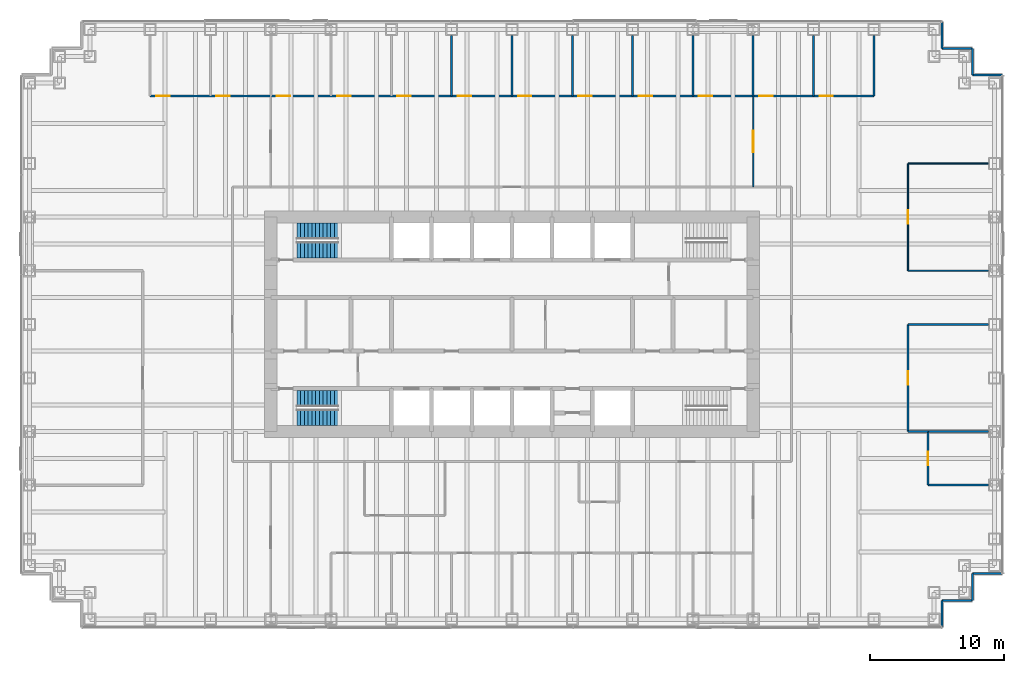
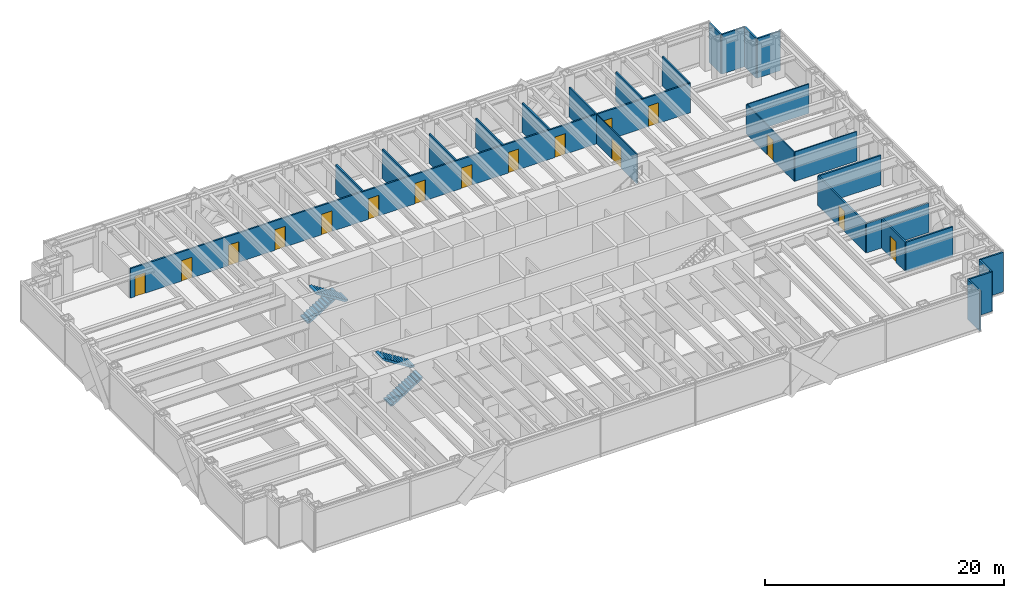
# One storey, part 17 of 19: 27 walls, 16 doors, 4 stair flights, 16 openings, 2 elements without a shape of their own.
"""IFC4 building model written with IfcOpenShell, lengths in metres."""

from ifc_helpers import new_model, si_unit, direction, frame, frame_2d, origin, place, context, subcontext, project, spatial, polyline, rectangle, outline, extrude, material, layer, layer_set, type_object, element, fill, aggregate, save


model = new_model("IFC4")

# Units and contexts
model_context = context("Model", 3, precision=1e-05, world=origin(), true_north=direction((0.0, 1.0)))
body_context = subcontext(model_context, "Body", "Model", "MODEL_VIEW")
ifc_project = project(units=[si_unit("LENGTHUNIT", "METRE"), si_unit("AREAUNIT", "SQUARE_METRE"), si_unit("VOLUMEUNIT", "CUBIC_METRE"), si_unit("PLANEANGLEUNIT", "RADIAN"), si_unit("MASSUNIT", "GRAM", prefix="KILO")], contexts=[model_context])

# Site, building, storey
site_placement = place(None, origin())
site = spatial("IfcSite", under=ifc_project, at=site_placement, CompositionType="ELEMENT")
building_placement = place(site_placement, origin())
building = spatial("IfcBuilding", under=site, at=building_placement, Name="Rheinbord Bourse Tower", CompositionType="ELEMENT")
storey_placement = place(building_placement, frame((0.0, 0.0, 167.699951171875)))
storey = spatial("IfcBuildingStorey", under=building, at=storey_placement, Name="L37", CompositionType="ELEMENT", Elevation=167.699951171875)

# Walls
ifc_material_1 = material(Name="Black metal rainscreen panel", Category="aluminium")
ifc_layer_1 = layer(ifc_material_1, 0.14990234375)
ifc_layer_set_1 = layer_set([ifc_layer_1], Name="CORNER PIER CLADDING 150")
wall_type_1 = type_object("IfcWallType", Name="CORNER PIER CLADDING 150", PredefinedType="ELEMENTEDWALL", material=ifc_layer_set_1)
wall_1_placement = place(storey_placement, frame((68.10009765625, 1.39990234375, 0.0), z_axis=(0.0, 0.0, 1.0), x_axis=(0.0, 1.0, 0.0)))
element("IfcWall", 1, at=wall_1_placement, inside=storey, type_object=wall_type_1, Name="Corner pier cladding L37 2", PredefinedType="ELEMENTEDWALL", context=body_context, shape_type="SweptSolid", body=[
    extrude(rectangle(XDim=2.0, YDim=0.14990234375, at=frame_2d((1.0, 0.0))), origin(), (0.0, 0.0, 1.0), 4.0400390625),
])
wall_2_placement = place(storey_placement, frame((68.10009765625, 3.39990234375, 0.0), z_axis=(0.0, 0.0, 1.0), x_axis=(1.0, 0.0, 0.0)))
element("IfcWall", 2, at=wall_2_placement, inside=storey, type_object=wall_type_1, Name="Corner pier cladding L37 3", PredefinedType="ELEMENTEDWALL", context=body_context, shape_type="SweptSolid", body=[
    extrude(rectangle(XDim=2.25, YDim=0.14990234375, at=frame_2d((1.125, 0.0))), origin(), (0.0, 0.0, 1.0), 4.0400390625),
])
wall_3_placement = place(storey_placement, frame((70.35009765625, 3.39990234375, 0.0), z_axis=(0.0, 0.0, 1.0), x_axis=(0.0, 1.0, 0.0)))
element("IfcWall", 3, at=wall_3_placement, inside=storey, type_object=wall_type_1, Name="Corner pier cladding L37 4", PredefinedType="ELEMENTEDWALL", context=body_context, shape_type="SweptSolid", body=[
    extrude(rectangle(XDim=2.0, YDim=0.14990234375, at=frame_2d((1.0, 0.0))), origin(), (0.0, 0.0, 1.0), 4.0400390625),
])
for number, where, z_axis, x_axis, name in (
    (4, (70.35009765625, 5.39990234375, 0.0), (0.0, 0.0, 1.0), (1.0, 0.0, 0.0), "Corner pier cladding L37 5"),
    (5, (72.60009765625, 42.60009765625, 0.0), (0.0, 0.0, 1.0), (-1.0, 0.0, 0.0), "Corner pier cladding L37 7"),
):
    element("IfcWall", number, at=place(storey_placement, frame(where, z_axis=z_axis, x_axis=x_axis)), inside=storey, type_object=wall_type_1, Name=name, PredefinedType="ELEMENTEDWALL", context=body_context, shape_type="SweptSolid", body=[
        extrude(rectangle(XDim=2.25, YDim=0.14990234375, at=frame_2d((1.125, 0.0))), origin(), (0.0, 0.0, 1.0), 4.0400390625),
    ])
wall_4_placement = place(storey_placement, frame((70.35009765625, 42.60009765625, 0.0), z_axis=(0.0, 0.0, 1.0), x_axis=(0.0, 1.0, 0.0)))
element("IfcWall", 6, at=wall_4_placement, inside=storey, type_object=wall_type_1, Name="Corner pier cladding L37 8", PredefinedType="ELEMENTEDWALL", context=body_context, shape_type="SweptSolid", body=[
    extrude(rectangle(XDim=2.0, YDim=0.14990234375, at=frame_2d((1.0, 0.0))), origin(), (0.0, 0.0, 1.0), 4.0400390625),
])
wall_5_placement = place(storey_placement, frame((70.35009765625, 44.60009765625, 0.0), z_axis=(0.0, 0.0, 1.0), x_axis=(-1.0, 0.0, 0.0)))
element("IfcWall", 7, at=wall_5_placement, inside=storey, type_object=wall_type_1, Name="Corner pier cladding L37 9", PredefinedType="ELEMENTEDWALL", context=body_context, shape_type="SweptSolid", body=[
    extrude(rectangle(XDim=2.25, YDim=0.14990234375, at=frame_2d((1.125, 0.0))), origin(), (0.0, 0.0, 1.0), 4.0400390625),
])
wall_6_placement = place(storey_placement, frame((68.10009765625, 44.60009765625, 0.0), z_axis=(0.0, 0.0, 1.0), x_axis=(0.0, 1.0, 0.0)))
element("IfcWall", 8, at=wall_6_placement, inside=storey, type_object=wall_type_1, Name="Corner pier cladding L37 10", PredefinedType="ELEMENTEDWALL", context=body_context, shape_type="SweptSolid", body=[
    extrude(rectangle(XDim=2.0, YDim=0.14990234375, at=frame_2d((1.0, 0.0))), origin(), (0.0, 0.0, 1.0), 4.0400390625),
])
ifc_material_2 = material(Name="Gypsum board fire partition", Category="gypsum board")
ifc_layer_2 = layer(ifc_material_2, 0.14990234375)
ifc_layer_set_2 = layer_set([ifc_layer_2], Name="FIRE PARTITION 150 EI60")
wall_type_2 = type_object("IfcWallType", Name="FIRE PARTITION 150 EI60", PredefinedType="PARTITIONING", material=ifc_layer_set_2)
for number, where, z_axis, x_axis, name in (
    (9, (67.050048828125, 12.0, 0.0), (0.0, 0.0, 1.0), (1.0, 0.0, 0.0), "Partition L37-05"),
    (10, (67.050048828125, 16.0, 0.0), (0.0, 0.0, 1.0), (1.0, 0.0, 0.0), "Partition L37-08"),
):
    element("IfcWall", number, at=place(storey_placement, frame(where, z_axis=z_axis, x_axis=x_axis)), inside=storey, type_object=wall_type_2, Name=name, PredefinedType="PARTITIONING", context=body_context, shape_type="SweptSolid", body=[
        extrude(rectangle(XDim=4.5, YDim=0.14990234375, at=frame_2d((2.25, 0.0))), origin(), (0.0, 0.0, 1.0), 3.0),
    ])

# Wall, opening, door
wall_7_placement = place(storey_placement, frame((67.050048828125, 12.0, 0.0), z_axis=(0.0, 0.0, 1.0), x_axis=(0.0, 1.0, 0.0)))
wall_7 = element("IfcWall", 11, at=wall_7_placement, inside=storey, type_object=wall_type_2, Name="Partition L37-49", PredefinedType="PARTITIONING", context=body_context, shape_type="SweptSolid", body=[
    extrude(rectangle(XDim=4.0, YDim=0.14990234375, at=frame_2d((2.0, 0.0))), origin(), (0.0, 0.0, 1.0), 3.0),
])
opening_1_placement = place(wall_7_placement, frame((1.5, 0.0, 0.0)))
opening_1 = element("IfcOpeningElement", 12, at=opening_1_placement, cuts=wall_7, Name="Opening 37D10", PredefinedType="OPENING", context=body_context, shape_type="SweptSolid", body=[
    extrude(rectangle(XDim=1.0, YDim=2.10009765625, at=frame_2d((0.5, 1.050048828125))), frame((0.0, 0.0849609375, 0.0), z_axis=(0.0, -1.0, 0.0), x_axis=(1.0, 0.0, 0.0)), (0.0, 0.0, 1.0), 0.169921875),
])
ifc_material_3 = material(Name="Timber fire door", Category="wood")
door_type_1 = type_object("IfcDoorType", Name="FIRE DOOR 1000 EI60", OperationType="SINGLE_SWING_LEFT", PredefinedType="DOOR", material=ifc_material_3)
door_1_placement = place(opening_1_placement, origin())
door_1 = element("IfcDoor", 13, at=door_1_placement, inside=storey, type_object=door_type_1, Name="File room door L37", OperationType="SINGLE_SWING_LEFT", OverallHeight=2.10009765625, OverallWidth=1.0, PredefinedType="DOOR", context=body_context, shape_type="SweptSolid", body=[
    extrude(rectangle(XDim=1.0, YDim=2.10009765625, at=frame_2d((0.5, 1.050048828125))), frame((0.0, 0.02490234375, 0.0), z_axis=(0.0, -1.0, 0.0), x_axis=(1.0, 0.0, 0.0)), (0.0, 0.0, 1.0), 0.050048828125),
])
fill(opening_1, door_1)

# Walls
ifc_material_4 = material(Name="Toughened laminated glass partition", Category="glass")
ifc_layer_3 = layer(ifc_material_4, 0.10009765625)
ifc_layer_set_3 = layer_set([ifc_layer_3], Name="GLAZED PARTITION 100")
wall_type_3 = type_object("IfcWallType", Name="GLAZED PARTITION 100", PredefinedType="PARTITIONING", material=ifc_layer_set_3)
for number, where, z_axis, x_axis, name in (
    (14, (65.550048828125, 28.0, 0.0), (0.0, 0.0, 1.0), (1.0, 0.0, 0.0), "Partition L37-11"),
    (15, (65.550048828125, 36.0, 0.0), (0.0, 0.0, 1.0), (1.0, 0.0, 0.0), "Partition L37-13"),
):
    element("IfcWall", number, at=place(storey_placement, frame(where, z_axis=z_axis, x_axis=x_axis)), inside=storey, type_object=wall_type_3, Name=name, PredefinedType="PARTITIONING", context=body_context, shape_type="SweptSolid", body=[
        extrude(rectangle(XDim=6.0, YDim=0.10009765625, at=frame_2d((3.0, 0.0))), origin(), (0.0, 0.0, 1.0), 3.0),
    ])

# Wall, opening, door
wall_8_placement = place(storey_placement, frame((54.0, 34.25, 0.0), z_axis=(0.0, 0.0, 1.0), x_axis=(0.0, 1.0, 0.0)))
wall_8 = element("IfcWall", 16, at=wall_8_placement, inside=storey, type_object=wall_type_3, Name="Partition L37-42", PredefinedType="PARTITIONING", context=body_context, shape_type="SweptSolid", body=[
    extrude(rectangle(XDim=6.800048828125, YDim=0.10009765625, at=frame_2d((3.39990234375, 0.0))), origin(), (0.0, 0.0, 1.0), 3.0),
])
opening_2_placement = place(wall_8_placement, frame((2.60009765625, 0.0, 0.0)))
opening_2 = element("IfcOpeningElement", 17, at=opening_2_placement, cuts=wall_8, Name="Opening 37D29", PredefinedType="OPENING", context=body_context, shape_type="SweptSolid", body=[
    extrude(rectangle(XDim=1.60009765625, YDim=2.10009765625, at=frame_2d((0.800048828125, 1.050048828125))), frame((0.0, 0.06005859375, 0.0), z_axis=(0.0, -1.0, 0.0), x_axis=(1.0, 0.0, 0.0)), (0.0, 0.0, 1.0), 0.1201171875),
])
ifc_material_5 = material(Name="Timber door", Category="wood")
door_type_2 = type_object("IfcDoorType", Name="DOUBLE ROOM DOOR 1600", OperationType="DOUBLE_DOOR_DOUBLE_SWING", PredefinedType="DOOR", material=ifc_material_5)
door_2_placement = place(opening_2_placement, origin())
door_2 = element("IfcDoor", 18, at=door_2_placement, inside=storey, type_object=door_type_2, Name="Open area door L37", OperationType="SINGLE_SWING_LEFT", OverallHeight=2.10009765625, OverallWidth=1.60009765625, PredefinedType="DOOR", context=body_context, shape_type="SweptSolid", body=[
    extrude(rectangle(XDim=1.60009765625, YDim=2.10009765625, at=frame_2d((0.800048828125, 1.050048828125))), frame((0.0, 0.02490234375, 0.0), z_axis=(0.0, -1.0, 0.0), x_axis=(1.0, 0.0, 0.0)), (0.0, 0.0, 1.0), 0.050048828125),
])
fill(opening_2, door_2)

wall_9_placement = place(storey_placement, frame((65.550048828125, 28.0, 0.0), z_axis=(0.0, 0.0, 1.0), x_axis=(0.0, 1.0, 0.0)))
wall_9 = element("IfcWall", 19, at=wall_9_placement, inside=storey, type_object=wall_type_3, Name="Partition L37-48", PredefinedType="PARTITIONING", context=body_context, shape_type="SweptSolid", body=[
    extrude(rectangle(XDim=8.0, YDim=0.10009765625, at=frame_2d((4.0, 0.0))), origin(), (0.0, 0.0, 1.0), 3.0),
])
opening_3_placement = place(wall_9_placement, frame((3.5, 0.0, 0.0)))
opening_3 = element("IfcOpeningElement", 20, at=opening_3_placement, cuts=wall_9, Name="Opening 37D13", PredefinedType="OPENING", context=body_context, shape_type="SweptSolid", body=[
    extrude(rectangle(XDim=1.0, YDim=2.10009765625, at=frame_2d((0.5, 1.050048828125))), frame((0.0, 0.06005859375, 0.0), z_axis=(0.0, -1.0, 0.0), x_axis=(1.0, 0.0, 0.0)), (0.0, 0.0, 1.0), 0.1201171875),
])
ifc_material_6 = material(Name="Timber door", Category="wood")
door_type_3 = type_object("IfcDoorType", Name="ROOM DOOR 1000", OperationType="SINGLE_SWING_LEFT", PredefinedType="DOOR", material=ifc_material_6)
door_3_placement = place(opening_3_placement, origin())
door_3 = element("IfcDoor", 21, at=door_3_placement, inside=storey, type_object=door_type_3, Name="Meeting room door L37", OperationType="SINGLE_SWING_LEFT", OverallHeight=2.10009765625, OverallWidth=1.0, PredefinedType="DOOR", context=body_context, shape_type="SweptSolid", body=[
    extrude(rectangle(XDim=1.0, YDim=2.10009765625, at=frame_2d((0.5, 1.050048828125))), frame((0.0, 0.02490234375, 0.0), z_axis=(0.0, -1.0, 0.0), x_axis=(1.0, 0.0, 0.0)), (0.0, 0.0, 1.0), 0.050048828125),
])
fill(opening_3, door_3)

# Walls
ifc_material_7 = material(Name="Gypsum board partition", Category="gypsum board")
ifc_layer_4 = layer(ifc_material_7, 0.14990234375)
ifc_layer_set_4 = layer_set([ifc_layer_4], Name="PARTITION 150")
wall_type_4 = type_object("IfcWallType", Name="PARTITION 150", PredefinedType="PARTITIONING", material=ifc_layer_set_4)
wall_10_placement = place(storey_placement, frame((65.550048828125, 16.0, 0.0), z_axis=(0.0, 0.0, 1.0), x_axis=(1.0, 0.0, 0.0)))
element("IfcWall", 22, at=wall_10_placement, inside=storey, type_object=wall_type_4, Name="Partition L37-07", PredefinedType="PARTITIONING", context=body_context, shape_type="SweptSolid", body=[
    extrude(rectangle(XDim=1.5, YDim=0.14990234375, at=frame_2d((0.75, 0.0))), origin(), (0.0, 0.0, 1.0), 3.0),
])
wall_11_placement = place(storey_placement, frame((65.550048828125, 24.0, 0.0), z_axis=(0.0, 0.0, 1.0), x_axis=(1.0, 0.0, 0.0)))
element("IfcWall", 23, at=wall_11_placement, inside=storey, type_object=wall_type_4, Name="Partition L37-09", PredefinedType="PARTITIONING", context=body_context, shape_type="SweptSolid", body=[
    extrude(rectangle(XDim=6.0, YDim=0.14990234375, at=frame_2d((3.0, 0.0))), origin(), (0.0, 0.0, 1.0), 3.0),
])

# Wall, openings, doors
wall_12_placement = place(storey_placement, frame((9.0, 41.050048828125, 0.0), z_axis=(0.0, 0.0, 1.0), x_axis=(1.0, 0.0, 0.0)))
wall_12 = element("IfcWall", 24, at=wall_12_placement, inside=storey, type_object=wall_type_4, Name="Partition L37-14", PredefinedType="PARTITIONING", context=body_context, shape_type="SweptSolid", body=[
    extrude(rectangle(XDim=54.0, YDim=0.14990234375, at=frame_2d((27.0, 0.0))), origin(), (0.0, 0.0, 1.0), 3.0),
])
opening_4_placement = place(wall_12_placement, frame((0.449951171875, 0.0, 0.0)))
opening_4 = element("IfcOpeningElement", 25, at=opening_4_placement, cuts=wall_12, Name="Opening 37D14", PredefinedType="OPENING", context=body_context, shape_type="SweptSolid", body=[
    extrude(rectangle(XDim=1.0, YDim=2.10009765625, at=frame_2d((0.5, 1.050048828125))), frame((0.0, 0.0849609375, 0.0), z_axis=(0.0, -1.0, 0.0), x_axis=(1.0, 0.0, 0.0)), (0.0, 0.0, 1.0), 0.169921875),
])
opening_5_placement = place(wall_12_placement, frame((4.949951171875, 0.0, 0.0)))
opening_5 = element("IfcOpeningElement", 26, at=opening_5_placement, cuts=wall_12, Name="Opening 37D15", PredefinedType="OPENING", context=body_context, shape_type="SweptSolid", body=[
    extrude(rectangle(XDim=1.0, YDim=2.10009765625, at=frame_2d((0.5, 1.050048828125))), frame((0.0, 0.0849609375, 0.0), z_axis=(0.0, -1.0, 0.0), x_axis=(1.0, 0.0, 0.0)), (0.0, 0.0, 1.0), 0.169921875),
])
opening_6_placement = place(wall_12_placement, frame((9.449951171875, 0.0, 0.0)))
opening_6 = element("IfcOpeningElement", 27, at=opening_6_placement, cuts=wall_12, Name="Opening 37D16", PredefinedType="OPENING", context=body_context, shape_type="SweptSolid", body=[
    extrude(rectangle(XDim=1.0, YDim=2.10009765625, at=frame_2d((0.5, 1.050048828125))), frame((0.0, 0.0849609375, 0.0), z_axis=(0.0, -1.0, 0.0), x_axis=(1.0, 0.0, 0.0)), (0.0, 0.0, 1.0), 0.169921875),
])
opening_7_placement = place(wall_12_placement, frame((13.949951171875, 0.0, 0.0)))
opening_7 = element("IfcOpeningElement", 28, at=opening_7_placement, cuts=wall_12, Name="Opening 37D17", PredefinedType="OPENING", context=body_context, shape_type="SweptSolid", body=[
    extrude(rectangle(XDim=1.0, YDim=2.10009765625, at=frame_2d((0.5, 1.050048828125))), frame((0.0, 0.0849609375, 0.0), z_axis=(0.0, -1.0, 0.0), x_axis=(1.0, 0.0, 0.0)), (0.0, 0.0, 1.0), 0.169921875),
])
opening_8_placement = place(wall_12_placement, frame((18.449951171875, 0.0, 0.0)))
opening_8 = element("IfcOpeningElement", 29, at=opening_8_placement, cuts=wall_12, Name="Opening 37D18", PredefinedType="OPENING", context=body_context, shape_type="SweptSolid", body=[
    extrude(rectangle(XDim=1.0, YDim=2.10009765625, at=frame_2d((0.5, 1.050048828125))), frame((0.0, 0.0849609375, 0.0), z_axis=(0.0, -1.0, 0.0), x_axis=(1.0, 0.0, 0.0)), (0.0, 0.0, 1.0), 0.169921875),
])
opening_9_placement = place(wall_12_placement, frame((22.949951171875, 0.0, 0.0)))
opening_9 = element("IfcOpeningElement", 30, at=opening_9_placement, cuts=wall_12, Name="Opening 37D19", PredefinedType="OPENING", context=body_context, shape_type="SweptSolid", body=[
    extrude(rectangle(XDim=1.0, YDim=2.10009765625, at=frame_2d((0.5, 1.050048828125))), frame((0.0, 0.0849609375, 0.0), z_axis=(0.0, -1.0, 0.0), x_axis=(1.0, 0.0, 0.0)), (0.0, 0.0, 1.0), 0.169921875),
])
opening_10_placement = place(wall_12_placement, frame((27.449951171875, 0.0, 0.0)))
opening_10 = element("IfcOpeningElement", 31, at=opening_10_placement, cuts=wall_12, Name="Opening 37D20", PredefinedType="OPENING", context=body_context, shape_type="SweptSolid", body=[
    extrude(rectangle(XDim=1.0, YDim=2.10009765625, at=frame_2d((0.5, 1.050048828125))), frame((0.0, 0.0849609375, 0.0), z_axis=(0.0, -1.0, 0.0), x_axis=(1.0, 0.0, 0.0)), (0.0, 0.0, 1.0), 0.169921875),
])
opening_11_placement = place(wall_12_placement, frame((31.949951171875, 0.0, 0.0)))
opening_11 = element("IfcOpeningElement", 32, at=opening_11_placement, cuts=wall_12, Name="Opening 37D21", PredefinedType="OPENING", context=body_context, shape_type="SweptSolid", body=[
    extrude(rectangle(XDim=1.0, YDim=2.10009765625, at=frame_2d((0.5, 1.050048828125))), frame((0.0, 0.0849609375, 0.0), z_axis=(0.0, -1.0, 0.0), x_axis=(1.0, 0.0, 0.0)), (0.0, 0.0, 1.0), 0.169921875),
])
opening_12_placement = place(wall_12_placement, frame((36.449951171875, 0.0, 0.0)))
opening_12 = element("IfcOpeningElement", 33, at=opening_12_placement, cuts=wall_12, Name="Opening 37D22", PredefinedType="OPENING", context=body_context, shape_type="SweptSolid", body=[
    extrude(rectangle(XDim=1.0, YDim=2.10009765625, at=frame_2d((0.5, 1.050048828125))), frame((0.0, 0.0849609375, 0.0), z_axis=(0.0, -1.0, 0.0), x_axis=(1.0, 0.0, 0.0)), (0.0, 0.0, 1.0), 0.169921875),
])
opening_13_placement = place(wall_12_placement, frame((40.949951171875, 0.0, 0.0)))
opening_13 = element("IfcOpeningElement", 34, at=opening_13_placement, cuts=wall_12, Name="Opening 37D23", PredefinedType="OPENING", context=body_context, shape_type="SweptSolid", body=[
    extrude(rectangle(XDim=1.0, YDim=2.10009765625, at=frame_2d((0.5, 1.050048828125))), frame((0.0, 0.0849609375, 0.0), z_axis=(0.0, -1.0, 0.0), x_axis=(1.0, 0.0, 0.0)), (0.0, 0.0, 1.0), 0.169921875),
])
opening_14_placement = place(wall_12_placement, frame((45.449951171875, 0.0, 0.0)))
opening_14 = element("IfcOpeningElement", 35, at=opening_14_placement, cuts=wall_12, Name="Opening 37D24", PredefinedType="OPENING", context=body_context, shape_type="SweptSolid", body=[
    extrude(rectangle(XDim=1.0, YDim=2.10009765625, at=frame_2d((0.5, 1.050048828125))), frame((0.0, 0.0849609375, 0.0), z_axis=(0.0, -1.0, 0.0), x_axis=(1.0, 0.0, 0.0)), (0.0, 0.0, 1.0), 0.169921875),
])
opening_15_placement = place(wall_12_placement, frame((49.949951171875, 0.0, 0.0)))
opening_15 = element("IfcOpeningElement", 36, at=opening_15_placement, cuts=wall_12, Name="Opening 37D25", PredefinedType="OPENING", context=body_context, shape_type="SweptSolid", body=[
    extrude(rectangle(XDim=1.0, YDim=2.10009765625, at=frame_2d((0.5, 1.050048828125))), frame((0.0, 0.0849609375, 0.0), z_axis=(0.0, -1.0, 0.0), x_axis=(1.0, 0.0, 0.0)), (0.0, 0.0, 1.0), 0.169921875),
])
door_4_placement = place(opening_4_placement, origin())
door_4 = element("IfcDoor", 37, at=door_4_placement, inside=storey, type_object=door_type_3, Name="Office door L37", OperationType="SINGLE_SWING_LEFT", OverallHeight=2.10009765625, OverallWidth=1.0, PredefinedType="DOOR", context=body_context, shape_type="SweptSolid", body=[
    extrude(rectangle(XDim=1.0, YDim=2.10009765625, at=frame_2d((0.5, 1.050048828125))), frame((0.0, 0.02490234375, 0.0), z_axis=(0.0, -1.0, 0.0), x_axis=(1.0, 0.0, 0.0)), (0.0, 0.0, 1.0), 0.050048828125),
])
fill(opening_4, door_4)
door_5_placement = place(opening_5_placement, origin())
door_5 = element("IfcDoor", 38, at=door_5_placement, inside=storey, type_object=door_type_3, Name="Office door L37", OperationType="SINGLE_SWING_LEFT", OverallHeight=2.10009765625, OverallWidth=1.0, PredefinedType="DOOR", context=body_context, shape_type="SweptSolid", body=[
    extrude(rectangle(XDim=1.0, YDim=2.10009765625, at=frame_2d((0.5, 1.050048828125))), frame((0.0, 0.02490234375, 0.0), z_axis=(0.0, -1.0, 0.0), x_axis=(1.0, 0.0, 0.0)), (0.0, 0.0, 1.0), 0.050048828125),
])
fill(opening_5, door_5)
door_6_placement = place(opening_6_placement, origin())
door_6 = element("IfcDoor", 39, at=door_6_placement, inside=storey, type_object=door_type_3, Name="Office door L37", OperationType="SINGLE_SWING_LEFT", OverallHeight=2.10009765625, OverallWidth=1.0, PredefinedType="DOOR", context=body_context, shape_type="SweptSolid", body=[
    extrude(rectangle(XDim=1.0, YDim=2.10009765625, at=frame_2d((0.5, 1.050048828125))), frame((0.0, 0.02490234375, 0.0), z_axis=(0.0, -1.0, 0.0), x_axis=(1.0, 0.0, 0.0)), (0.0, 0.0, 1.0), 0.050048828125),
])
fill(opening_6, door_6)
door_7_placement = place(opening_7_placement, origin())
door_7 = element("IfcDoor", 40, at=door_7_placement, inside=storey, type_object=door_type_3, Name="Office door L37", OperationType="SINGLE_SWING_LEFT", OverallHeight=2.10009765625, OverallWidth=1.0, PredefinedType="DOOR", context=body_context, shape_type="SweptSolid", body=[
    extrude(rectangle(XDim=1.0, YDim=2.10009765625, at=frame_2d((0.5, 1.050048828125))), frame((0.0, 0.02490234375, 0.0), z_axis=(0.0, -1.0, 0.0), x_axis=(1.0, 0.0, 0.0)), (0.0, 0.0, 1.0), 0.050048828125),
])
fill(opening_7, door_7)
door_8_placement = place(opening_8_placement, origin())
door_8 = element("IfcDoor", 41, at=door_8_placement, inside=storey, type_object=door_type_3, Name="Office door L37", OperationType="SINGLE_SWING_LEFT", OverallHeight=2.10009765625, OverallWidth=1.0, PredefinedType="DOOR", context=body_context, shape_type="SweptSolid", body=[
    extrude(rectangle(XDim=1.0, YDim=2.10009765625, at=frame_2d((0.5, 1.050048828125))), frame((0.0, 0.02490234375, 0.0), z_axis=(0.0, -1.0, 0.0), x_axis=(1.0, 0.0, 0.0)), (0.0, 0.0, 1.0), 0.050048828125),
])
fill(opening_8, door_8)
door_9_placement = place(opening_9_placement, origin())
door_9 = element("IfcDoor", 42, at=door_9_placement, inside=storey, type_object=door_type_3, Name="Office door L37", OperationType="SINGLE_SWING_LEFT", OverallHeight=2.10009765625, OverallWidth=1.0, PredefinedType="DOOR", context=body_context, shape_type="SweptSolid", body=[
    extrude(rectangle(XDim=1.0, YDim=2.10009765625, at=frame_2d((0.5, 1.050048828125))), frame((0.0, 0.02490234375, 0.0), z_axis=(0.0, -1.0, 0.0), x_axis=(1.0, 0.0, 0.0)), (0.0, 0.0, 1.0), 0.050048828125),
])
fill(opening_9, door_9)
door_10_placement = place(opening_10_placement, origin())
door_10 = element("IfcDoor", 43, at=door_10_placement, inside=storey, type_object=door_type_3, Name="Office door L37", OperationType="SINGLE_SWING_RIGHT", OverallHeight=2.10009765625, OverallWidth=1.0, PredefinedType="DOOR", context=body_context, shape_type="SweptSolid", body=[
    extrude(rectangle(XDim=1.0, YDim=2.10009765625, at=frame_2d((0.5, 1.050048828125))), frame((0.0, 0.02490234375, 0.0), z_axis=(0.0, -1.0, 0.0), x_axis=(1.0, 0.0, 0.0)), (0.0, 0.0, 1.0), 0.050048828125),
])
fill(opening_10, door_10)
door_11_placement = place(opening_11_placement, origin())
door_11 = element("IfcDoor", 44, at=door_11_placement, inside=storey, type_object=door_type_3, Name="Office door L37", OperationType="SINGLE_SWING_RIGHT", OverallHeight=2.10009765625, OverallWidth=1.0, PredefinedType="DOOR", context=body_context, shape_type="SweptSolid", body=[
    extrude(rectangle(XDim=1.0, YDim=2.10009765625, at=frame_2d((0.5, 1.050048828125))), frame((0.0, 0.02490234375, 0.0), z_axis=(0.0, -1.0, 0.0), x_axis=(1.0, 0.0, 0.0)), (0.0, 0.0, 1.0), 0.050048828125),
])
fill(opening_11, door_11)
door_12_placement = place(opening_12_placement, origin())
door_12 = element("IfcDoor", 45, at=door_12_placement, inside=storey, type_object=door_type_3, Name="Office door L37", OperationType="SINGLE_SWING_RIGHT", OverallHeight=2.10009765625, OverallWidth=1.0, PredefinedType="DOOR", context=body_context, shape_type="SweptSolid", body=[
    extrude(rectangle(XDim=1.0, YDim=2.10009765625, at=frame_2d((0.5, 1.050048828125))), frame((0.0, 0.02490234375, 0.0), z_axis=(0.0, -1.0, 0.0), x_axis=(1.0, 0.0, 0.0)), (0.0, 0.0, 1.0), 0.050048828125),
])
fill(opening_12, door_12)
door_13_placement = place(opening_13_placement, origin())
door_13 = element("IfcDoor", 46, at=door_13_placement, inside=storey, type_object=door_type_3, Name="Office door L37", OperationType="SINGLE_SWING_RIGHT", OverallHeight=2.10009765625, OverallWidth=1.0, PredefinedType="DOOR", context=body_context, shape_type="SweptSolid", body=[
    extrude(rectangle(XDim=1.0, YDim=2.10009765625, at=frame_2d((0.5, 1.050048828125))), frame((0.0, 0.02490234375, 0.0), z_axis=(0.0, -1.0, 0.0), x_axis=(1.0, 0.0, 0.0)), (0.0, 0.0, 1.0), 0.050048828125),
])
fill(opening_13, door_13)
door_14_placement = place(opening_14_placement, origin())
door_14 = element("IfcDoor", 47, at=door_14_placement, inside=storey, type_object=door_type_3, Name="Office door L37", OperationType="SINGLE_SWING_RIGHT", OverallHeight=2.10009765625, OverallWidth=1.0, PredefinedType="DOOR", context=body_context, shape_type="SweptSolid", body=[
    extrude(rectangle(XDim=1.0, YDim=2.10009765625, at=frame_2d((0.5, 1.050048828125))), frame((0.0, 0.02490234375, 0.0), z_axis=(0.0, -1.0, 0.0), x_axis=(1.0, 0.0, 0.0)), (0.0, 0.0, 1.0), 0.050048828125),
])
fill(opening_14, door_14)
door_15_placement = place(opening_15_placement, origin())
door_15 = element("IfcDoor", 48, at=door_15_placement, inside=storey, type_object=door_type_3, Name="Office door L37", OperationType="SINGLE_SWING_RIGHT", OverallHeight=2.10009765625, OverallWidth=1.0, PredefinedType="DOOR", context=body_context, shape_type="SweptSolid", body=[
    extrude(rectangle(XDim=1.0, YDim=2.10009765625, at=frame_2d((0.5, 1.050048828125))), frame((0.0, 0.02490234375, 0.0), z_axis=(0.0, -1.0, 0.0), x_axis=(1.0, 0.0, 0.0)), (0.0, 0.0, 1.0), 0.050048828125),
])
fill(opening_15, door_15)

# Walls
for number, where, z_axis, x_axis, name in (
    (49, (31.5, 41.050048828125, 0.0), (0.0, 0.0, 1.0), (0.0, 1.0, 0.0), "Partition L37-29"),
    (50, (36.0, 41.050048828125, 0.0), (0.0, 0.0, 1.0), (0.0, 1.0, 0.0), "Partition L37-31"),
    (51, (40.5, 41.050048828125, 0.0), (0.0, 0.0, 1.0), (0.0, 1.0, 0.0), "Partition L37-33"),
    (52, (45.0, 41.050048828125, 0.0), (0.0, 0.0, 1.0), (0.0, 1.0, 0.0), "Partition L37-37"),
    (53, (49.5, 41.050048828125, 0.0), (0.0, 0.0, 1.0), (0.0, 1.0, 0.0), "Partition L37-39"),
    (54, (54.0, 41.050048828125, 0.0), (0.0, 0.0, 1.0), (0.0, 1.0, 0.0), "Partition L37-43"),
    (55, (58.5, 41.050048828125, 0.0), (0.0, 0.0, 1.0), (0.0, 1.0, 0.0), "Partition L37-45"),
    (56, (63.0, 41.050048828125, 0.0), (0.0, 0.0, 1.0), (0.0, 1.0, 0.0), "Partition L37-46"),
):
    element("IfcWall", number, at=place(storey_placement, frame(where, z_axis=z_axis, x_axis=x_axis)), inside=storey, type_object=wall_type_4, Name=name, PredefinedType="PARTITIONING", context=body_context, shape_type="SweptSolid", body=[
        extrude(rectangle(XDim=4.5, YDim=0.14990234375, at=frame_2d((2.25, 0.0))), origin(), (0.0, 0.0, 1.0), 3.0),
    ])

# Wall, opening, door
wall_13_placement = place(storey_placement, frame((65.550048828125, 16.0, 0.0), z_axis=(0.0, 0.0, 1.0), x_axis=(0.0, 1.0, 0.0)))
wall_13 = element("IfcWall", 57, at=wall_13_placement, inside=storey, type_object=wall_type_4, Name="Partition L37-47", PredefinedType="PARTITIONING", context=body_context, shape_type="SweptSolid", body=[
    extrude(rectangle(XDim=8.0, YDim=0.14990234375, at=frame_2d((4.0, 0.0))), origin(), (0.0, 0.0, 1.0), 3.0),
])
opening_16_placement = place(wall_13_placement, frame((3.5, 0.0, 0.0)))
opening_16 = element("IfcOpeningElement", 58, at=opening_16_placement, cuts=wall_13, Name="Opening 37D11", PredefinedType="OPENING", context=body_context, shape_type="SweptSolid", body=[
    extrude(rectangle(XDim=1.0, YDim=2.10009765625, at=frame_2d((0.5, 1.050048828125))), frame((0.0, 0.0849609375, 0.0), z_axis=(0.0, -1.0, 0.0), x_axis=(1.0, 0.0, 0.0)), (0.0, 0.0, 1.0), 0.169921875),
])
door_16_placement = place(opening_16_placement, origin())
door_16 = element("IfcDoor", 59, at=door_16_placement, inside=storey, type_object=door_type_3, Name="Library door L37", OperationType="SINGLE_SWING_LEFT", OverallHeight=2.10009765625, OverallWidth=1.0, PredefinedType="DOOR", context=body_context, shape_type="SweptSolid", body=[
    extrude(rectangle(XDim=1.0, YDim=2.10009765625, at=frame_2d((0.5, 1.050048828125))), frame((0.0, 0.02490234375, 0.0), z_axis=(0.0, -1.0, 0.0), x_axis=(1.0, 0.0, 0.0)), (0.0, 0.0, 1.0), 0.050048828125),
])
fill(opening_16, door_16)

# Stair, stair flights
ifc_material_8 = material(Name="Concrete C30/37", Category="concrete")
stair_type = type_object("IfcStairType", Name="CORE STAIR HALF TURN 4200", PredefinedType="HALF_TURN_STAIR", material=ifc_material_8)
stair_1_placement = place(storey_placement, origin())
stair_1 = element("IfcStair", 60, at=stair_1_placement, inside=storey, type_object=stair_type, Name="Stair ST1 L37, type CS6", PredefinedType="HALF_TURN_STAIR")
ifc_material_9 = material(Name="Concrete C30/37", Category="concrete")
stair_flight_type = type_object("IfcStairFlightType", Name="CORE STAIR FLIGHT 1200, 12 RISERS", PredefinedType="STRAIGHT", material=ifc_material_9)
stair_flight_1_placement = place(storey_placement, frame((19.949951171875, 17.050048828125, 0.0), z_axis=(0.0, 0.0, 1.0), x_axis=(1.0, 0.0, 0.0)))
stair_flight_1 = element("IfcStairFlight", 61, at=stair_flight_1_placement, type_object=stair_flight_type, Name="STAIR L37 ST1 F1", NumberOfRisers=12, NumberOfTreads=11, PredefinedType="STRAIGHT", RiserHeight=0.175, TreadLength=0.28, context=body_context, shape_type="SweptSolid", body=[
    extrude(outline(polyline([(0.0, 0.0), (0.0, 0.175048828125), (0.280029296875, 0.175048828125), (0.280029296875, 0.35009765625), (0.56005859375, 0.35009765625), (0.56005859375, 0.52490234375), (0.840087890625, 0.52490234375), (0.840087890625, 0.699951171875), (1.1201171875, 0.699951171875), (1.1201171875, 0.875), (1.39990234375, 0.875), (1.39990234375, 1.050048828125), (1.679931640625, 1.050048828125), (1.679931640625, 1.22509765625), (1.9599609375, 1.22509765625), (1.9599609375, 1.39990234375), (2.239990234375, 1.39990234375), (2.239990234375, 1.574951171875), (2.52001953125, 1.574951171875), (2.52001953125, 1.75), (2.800048828125, 1.75), (2.800048828125, 1.925048828125), (3.080078125, 1.925048828125), (3.080078125, 2.10009765625), (3.080078125, 1.748291015625), (0.28271484375, 0.0), (0.0, 0.0)])), frame((0.0, 0.60009765625, 0.0), z_axis=(0.0, -1.0, 0.0), x_axis=(1.0, 0.0, 0.0)), (0.0, 0.0, 1.0), 1.199951171875),
])
stair_flight_2_placement = place(storey_placement, frame((23.030029296875, 18.449951171875, 2.10009765625), z_axis=(0.0, 0.0, 1.0), x_axis=(-1.0, 0.0, 0.0)))
stair_flight_2 = element("IfcStairFlight", 62, at=stair_flight_2_placement, type_object=stair_flight_type, Name="STAIR L37 ST1 F2", NumberOfRisers=12, NumberOfTreads=11, PredefinedType="STRAIGHT", RiserHeight=0.175, TreadLength=0.28, context=body_context, shape_type="SweptSolid", body=[
    extrude(outline(polyline([(0.0, 0.0), (0.0, 0.175048828125), (0.280029296875, 0.175048828125), (0.280029296875, 0.35009765625), (0.56005859375, 0.35009765625), (0.56005859375, 0.52490234375), (0.840087890625, 0.52490234375), (0.840087890625, 0.699951171875), (1.1201171875, 0.699951171875), (1.1201171875, 0.875), (1.39990234375, 0.875), (1.39990234375, 1.050048828125), (1.679931640625, 1.050048828125), (1.679931640625, 1.22509765625), (1.9599609375, 1.22509765625), (1.9599609375, 1.39990234375), (2.239990234375, 1.39990234375), (2.239990234375, 1.574951171875), (2.52001953125, 1.574951171875), (2.52001953125, 1.75), (2.800048828125, 1.75), (2.800048828125, 1.925048828125), (3.080078125, 1.925048828125), (3.080078125, 2.10009765625), (3.080078125, 1.748291015625), (0.28271484375, 0.0), (0.0, 0.0)])), frame((0.0, 0.60009765625, 0.0), z_axis=(0.0, -1.0, 0.0), x_axis=(1.0, 0.0, 0.0)), (0.0, 0.0, 1.0), 1.199951171875),
])
aggregate(stair_1, [stair_flight_1, stair_flight_2])

stair_2_placement = place(storey_placement, origin())
stair_2 = element("IfcStair", 63, at=stair_2_placement, inside=storey, type_object=stair_type, Name="Stair ST2 L37, type CS6", PredefinedType="HALF_TURN_STAIR")
stair_flight_3_placement = place(storey_placement, frame((19.949951171875, 30.949951171875, 0.0), z_axis=(0.0, 0.0, 1.0), x_axis=(1.0, 0.0, 0.0)))
stair_flight_3 = element("IfcStairFlight", 64, at=stair_flight_3_placement, type_object=stair_flight_type, Name="STAIR L37 ST2 F1", NumberOfRisers=12, NumberOfTreads=11, PredefinedType="STRAIGHT", RiserHeight=0.175, TreadLength=0.28, context=body_context, shape_type="SweptSolid", body=[
    extrude(outline(polyline([(0.0, 0.0), (0.0, 0.175048828125), (0.280029296875, 0.175048828125), (0.280029296875, 0.35009765625), (0.56005859375, 0.35009765625), (0.56005859375, 0.52490234375), (0.840087890625, 0.52490234375), (0.840087890625, 0.699951171875), (1.1201171875, 0.699951171875), (1.1201171875, 0.875), (1.39990234375, 0.875), (1.39990234375, 1.050048828125), (1.679931640625, 1.050048828125), (1.679931640625, 1.22509765625), (1.9599609375, 1.22509765625), (1.9599609375, 1.39990234375), (2.239990234375, 1.39990234375), (2.239990234375, 1.574951171875), (2.52001953125, 1.574951171875), (2.52001953125, 1.75), (2.800048828125, 1.75), (2.800048828125, 1.925048828125), (3.080078125, 1.925048828125), (3.080078125, 2.10009765625), (3.080078125, 1.748291015625), (0.28271484375, 0.0), (0.0, 0.0)])), frame((0.0, 0.60009765625, 0.0), z_axis=(0.0, -1.0, 0.0), x_axis=(1.0, 0.0, 0.0)), (0.0, 0.0, 1.0), 1.199951171875),
])
stair_flight_4_placement = place(storey_placement, frame((23.030029296875, 29.550048828125, 2.10009765625), z_axis=(0.0, 0.0, 1.0), x_axis=(-1.0, 0.0, 0.0)))
stair_flight_4 = element("IfcStairFlight", 65, at=stair_flight_4_placement, type_object=stair_flight_type, Name="STAIR L37 ST2 F2", NumberOfRisers=12, NumberOfTreads=11, PredefinedType="STRAIGHT", RiserHeight=0.175, TreadLength=0.28, context=body_context, shape_type="SweptSolid", body=[
    extrude(outline(polyline([(0.0, 0.0), (0.0, 0.175048828125), (0.280029296875, 0.175048828125), (0.280029296875, 0.35009765625), (0.56005859375, 0.35009765625), (0.56005859375, 0.52490234375), (0.840087890625, 0.52490234375), (0.840087890625, 0.699951171875), (1.1201171875, 0.699951171875), (1.1201171875, 0.875), (1.39990234375, 0.875), (1.39990234375, 1.050048828125), (1.679931640625, 1.050048828125), (1.679931640625, 1.22509765625), (1.9599609375, 1.22509765625), (1.9599609375, 1.39990234375), (2.239990234375, 1.39990234375), (2.239990234375, 1.574951171875), (2.52001953125, 1.574951171875), (2.52001953125, 1.75), (2.800048828125, 1.75), (2.800048828125, 1.925048828125), (3.080078125, 1.925048828125), (3.080078125, 2.10009765625), (3.080078125, 1.748291015625), (0.28271484375, 0.0), (0.0, 0.0)])), frame((0.0, 0.60009765625, 0.0), z_axis=(0.0, -1.0, 0.0), x_axis=(1.0, 0.0, 0.0)), (0.0, 0.0, 1.0), 1.199951171875),
])
aggregate(stair_2, [stair_flight_3, stair_flight_4])

save(model, "model.ifc")
